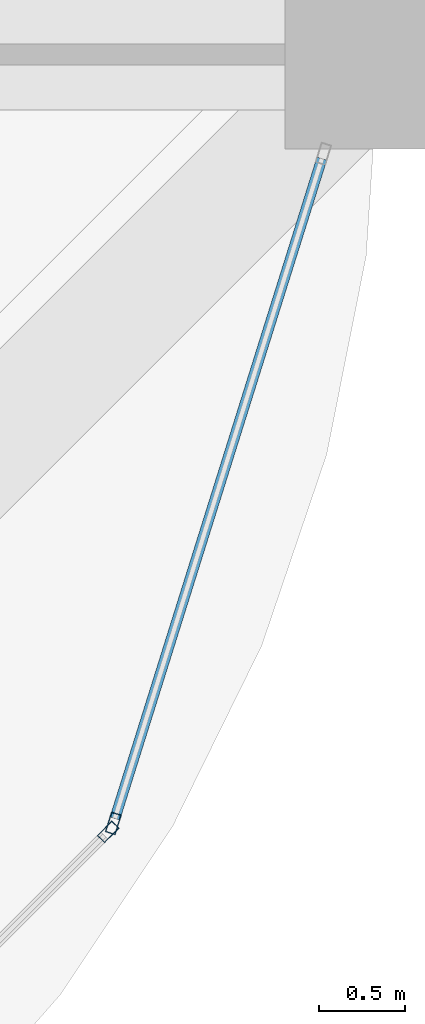
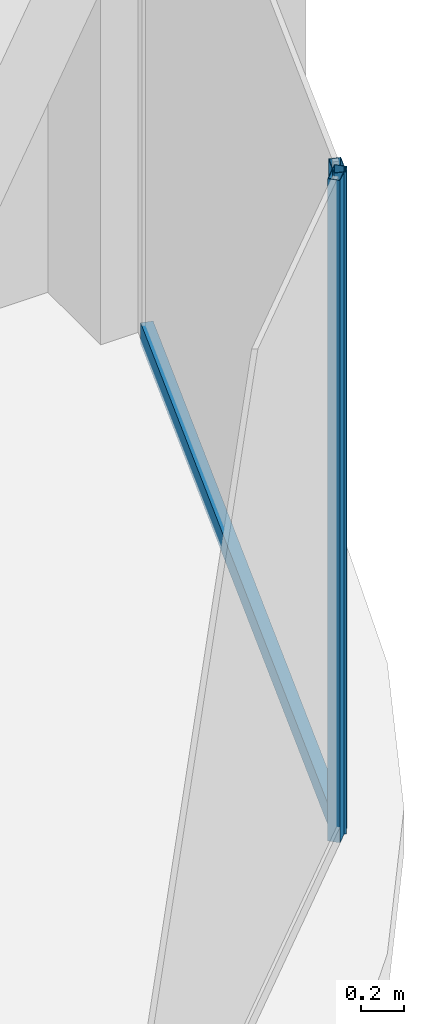
# One storey, part 20 of 44: 3 members, 2 elements without a shape of their own.
"""IFC4 building model written with IfcOpenShell, lengths in metres."""

from ifc_helpers import new_model, si_unit, direction, frame, origin, origin_2d, place, context, subcontext, project, spatial, hollow_rectangle, extrude, material, material_profile, profile_set, type_object, element, aggregate, save


model = new_model("IFC4")

# Units and contexts
model_context = context("Model", 3, precision=1e-05, world=origin(), true_north=direction((0.0, 1.0)))
body_context = subcontext(model_context, "Body", "Model", "MODEL_VIEW")
ifc_project = project(units=[si_unit("LENGTHUNIT", "METRE"), si_unit("AREAUNIT", "SQUARE_METRE"), si_unit("VOLUMEUNIT", "CUBIC_METRE"), si_unit("PLANEANGLEUNIT", "RADIAN"), si_unit("MASSUNIT", "GRAM", prefix="KILO")], contexts=[model_context])

# Site, building, storey
site_placement = place(None, origin())
site = spatial("IfcSite", under=ifc_project, at=site_placement, CompositionType="ELEMENT")
building_placement = place(site_placement, origin())
building = spatial("IfcBuilding", under=site, at=building_placement, Name="Zorevar Civic Tower", CompositionType="ELEMENT")
storey_placement = place(building_placement, frame((0.0, 0.0, 271.39990234375)))
storey = spatial("IfcBuildingStorey", under=building, at=storey_placement, Name="L66", CompositionType="ELEMENT", Elevation=271.39990234375)

# Curtain wall, member
ifc_material_1 = material(Name="Dark grey solar-control glass in black aluminium frame", Category="aluminium")
curtain_wall_type = type_object("IfcCurtainWallType", Name="Curtain wall CW5 top zone", PredefinedType="NOTDEFINED", material=ifc_material_1)
curtain_wall_1_placement = place(storey_placement, origin())
curtain_wall_1 = element("IfcCurtainWall", 1, at=curtain_wall_1_placement, inside=storey, type_object=curtain_wall_type, Name="CW5 L66", PredefinedType="NOTDEFINED")
ifc_material_2 = material(Name="Aluminium, black anodised", Category="aluminium")
ifc_material_profile_1 = material_profile(ifc_material_2, hollow_rectangle(XDim=0.06005859375, YDim=0.1201171875, WallThickness=0.0029296875, at=origin_2d()), Name="AL 120x60x3")
ifc_profile_set_1 = profile_set([ifc_material_profile_1], Name="Aluminium, black anodised")
member_type_1 = type_object("IfcMemberType", Name="CW5 mullion AL 120x60x3", PredefinedType="MULLION", material=ifc_profile_set_1)
member_1_placement = place(storey_placement, frame((52.419677734375, 4.470947265625, 0.0), z_axis=(0.0, 0.0, 1.0), x_axis=(-0.707106781187, 0.707106781187, 0.0)))
member_1 = element("IfcMember", 2, at=member_1_placement, type_object=member_type_1, Name="CW5 mullion 2", PredefinedType="MULLION", context=body_context, shape_type="SweptSolid", body=[
    extrude(hollow_rectangle(XDim=0.06005859375, YDim=0.1201171875, WallThickness=0.0029296875, at=origin_2d()), origin(), (0.0, 0.0, 1.0), 3.75),
])
aggregate(curtain_wall_1, [member_1])

# Curtain wall, members
curtain_wall_2_placement = place(storey_placement, origin())
curtain_wall_2 = element("IfcCurtainWall", 3, at=curtain_wall_2_placement, inside=storey, type_object=curtain_wall_type, Name="CW5 L66", PredefinedType="NOTDEFINED")
member_2_placement = place(storey_placement, frame((52.449951171875, 4.520751953125, 0.0), z_axis=(0.0, 0.0, 1.0), x_axis=(-0.954153437674, 0.299317920238, 0.0)))
member_2 = element("IfcMember", 4, at=member_2_placement, type_object=member_type_1, Name="CW5 mullion 1", PredefinedType="MULLION", context=body_context, shape_type="SweptSolid", body=[
    extrude(hollow_rectangle(XDim=0.06005859375, YDim=0.1201171875, WallThickness=0.0029296875, at=origin_2d()), origin(), (0.0, 0.0, 1.0), 3.75),
])
ifc_material_3 = material(Name="Aluminium, black anodised", Category="aluminium")
ifc_material_profile_2 = material_profile(ifc_material_3, hollow_rectangle(XDim=0.06005859375, YDim=0.1201171875, WallThickness=0.0029296875, at=origin_2d()), Name="AL 120x60x3")
ifc_profile_set_2 = profile_set([ifc_material_profile_2], Name="Aluminium, black anodised")
member_type_2 = type_object("IfcMemberType", Name="CW5 transom AL 120x60x3", PredefinedType="USERDEFINED", material=ifc_profile_set_2)
member_3_placement = place(storey_placement, frame((52.458984375, 4.54931640625, 0.030029296875), z_axis=(0.299285978047, 0.954163457351, 0.0), x_axis=(-0.954163457351, 0.299285978047, 0.0)))
member_3 = element("IfcMember", 5, at=member_3_placement, type_object=member_type_2, Name="CW5 sill transom", ObjectType="TRANSOM", PredefinedType="USERDEFINED", context=body_context, shape_type="SweptSolid", body=[
    extrude(hollow_rectangle(XDim=0.06005859375, YDim=0.1201171875, WallThickness=0.0029296875, at=origin_2d()), origin(), (0.0, 0.0, 1.0), 4.028076171875),
])
aggregate(curtain_wall_2, [member_2, member_3])

save(model, "model.ifc")
